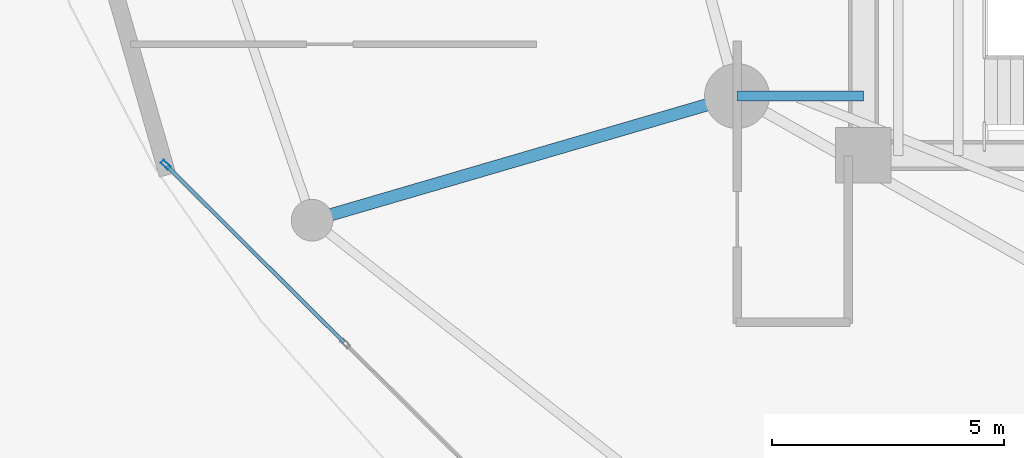
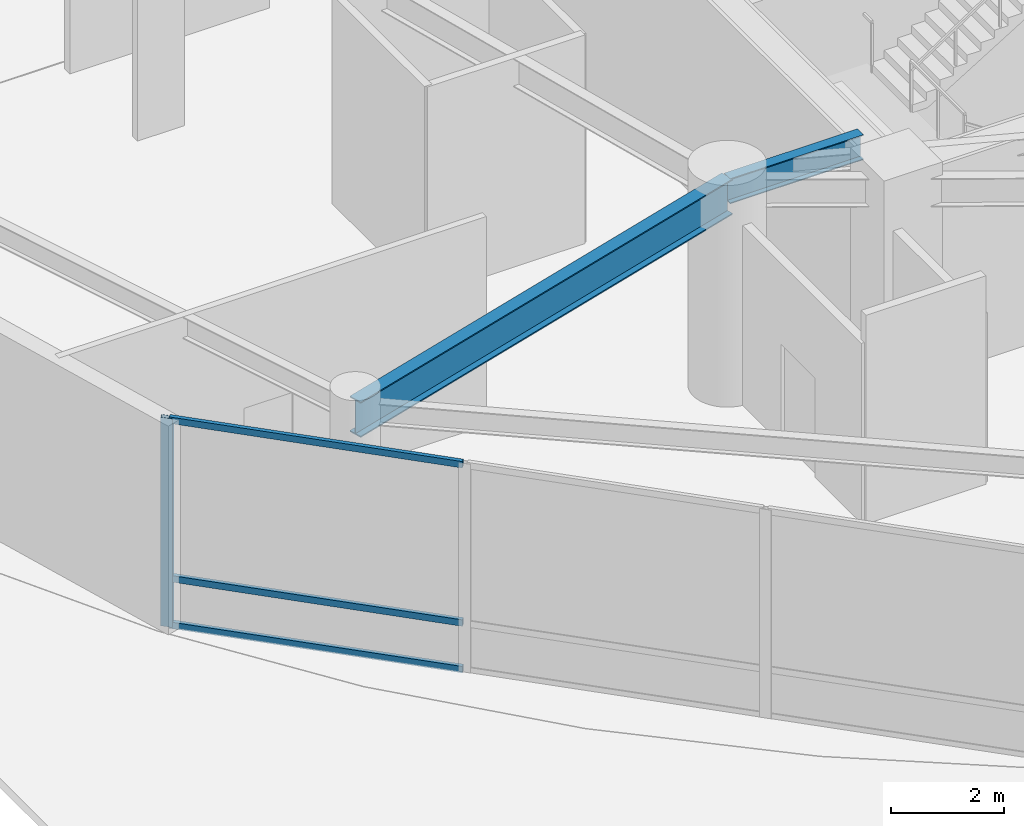
# One storey, part 4 of 35: 4 members, 2 beams, 1 element without a shape of its own.
"""IFC4 building model written with IfcOpenShell, lengths in metres."""

import ifcopenshell
import ifcopenshell.guid

model = None  # the IFC model being written
_history = None  # IfcOwnerHistory: only IFC2X3 demands one
_inside = {}  # id of a spatial element -> (the spatial element, [elements in it])
_under = {}  # id of a project, library or spatial element -> (it, [spatial elements below it])
_declared = {}  # id of a project -> (the project, [libraries it declares])
_typed = {}  # id of a type object -> (the type object, [elements of that type])
_made_of = {}  # id of a material, layer set ... -> (it, [elements and type objects made of it])


def new_model(schema):
    """Start an empty IFC model of exactly this schema.

    Asked for "IFC4X3", IfcOpenShell would pick the latest addendum, in which some entities
    have other attributes; the version numbers below select the first issue.
    IFC2X3 requires an IfcOwnerHistory on every rooted entity: one is made here for all.
    """
    global model, _history
    if schema == "IFC4X3":
        model = ifcopenshell.file(schema_version=(4, 3, 0, 0))
    else:
        model = ifcopenshell.file(schema=schema)
    _inside.clear()
    _under.clear()
    _declared.clear()
    _typed.clear()
    _made_of.clear()
    _history = None
    if model.schema == "IFC2X3":
        org = make("IfcOrganization", Name="unknown")
        user = make(
            "IfcPersonAndOrganization",
            ThePerson=make("IfcPerson", FamilyName="unknown"),
            TheOrganization=org,
        )
        app = make(
            "IfcApplication",
            ApplicationDeveloper=org,
            Version="unknown",
            ApplicationFullName="unknown",
            ApplicationIdentifier="unknown",
        )
        _history = make(
            "IfcOwnerHistory",
            OwningUser=user,
            OwningApplication=app,
            ChangeAction="ADDED",
            CreationDate=0,
        )
    return model


def make(cls, **values):
    """One entity of the class cls with the attributes given. An attribute that is None is left unset."""
    return model.create_entity(
        cls, **{name: value for name, value in values.items() if value is not None}
    )


def rooted(cls, **values):
    """An entity with a GlobalId (a new one), such as an element, a storey or a relation."""
    return make(cls, GlobalId=ifcopenshell.guid.new(), OwnerHistory=_history, **values)


def si_unit(unit_type, name, prefix=None):
    """IfcSIUnit, for example si_unit("LENGTHUNIT", "METRE", prefix="MILLI")."""
    return make("IfcSIUnit", UnitType=unit_type, Prefix=prefix, Name=name)


def assignment(units):
    """IfcUnitAssignment: the units of a project."""
    return None if units is None else make("IfcUnitAssignment", Units=units)


def point(xyz):
    """IfcCartesianPoint."""
    return None if xyz is None else make("IfcCartesianPoint", Coordinates=xyz)


def direction(xyz):
    """IfcDirection."""
    return None if xyz is None else make("IfcDirection", DirectionRatios=xyz)


def frame(location, z_axis=None, x_axis=None):
    """IfcAxis2Placement3D, a coordinate frame: its origin and axes. An axis left out is left unset."""
    return make(
        "IfcAxis2Placement3D",
        Location=point(location),
        Axis=direction(z_axis),
        RefDirection=direction(x_axis),
    )


def frame_2d(location, x_axis=None):
    """IfcAxis2Placement2D, a coordinate frame in the plane: its origin and x axis."""
    return make(
        "IfcAxis2Placement2D", Location=point(location), RefDirection=direction(x_axis)
    )


def origin():
    """The frame at (0, 0, 0) with its axes left unset."""
    return frame((0.0, 0.0, 0.0))


def origin_2d():
    """The frame at (0, 0) in the plane with its x axis left unset."""
    return frame_2d((0.0, 0.0))


def place(relative_to, where):
    """IfcLocalPlacement: puts the frame where relative to a parent placement (None: the world)."""
    return make(
        "IfcLocalPlacement", PlacementRelTo=relative_to, RelativePlacement=where
    )


def context(
    kind, dimensions, precision=None, world=None, true_north=None, identifier=None
):
    """IfcGeometricRepresentationContext, for example the 3D "Model" context."""
    return make(
        "IfcGeometricRepresentationContext",
        ContextIdentifier=identifier,
        ContextType=kind,
        CoordinateSpaceDimension=dimensions,
        Precision=precision,
        WorldCoordinateSystem=world,
        TrueNorth=true_north,
    )


def subcontext(parent, identifier, kind, view, scale=None):
    """IfcGeometricRepresentationSubContext, for example "Body" below "Model"."""
    return make(
        "IfcGeometricRepresentationSubContext",
        ContextIdentifier=identifier,
        ContextType=kind,
        ParentContext=parent,
        TargetScale=scale,
        TargetView=view,
    )


def project(units=None, contexts=None):
    """IfcProject with its units and contexts."""
    return rooted(
        "IfcProject",
        Name="project",
        RepresentationContexts=contexts,
        UnitsInContext=assignment(units),
    )


def spatial(cls, under=None, at=None, **own):
    """A site, building, storey or space (cls), placed at a placement, below another one or the project."""
    s = rooted(cls, ObjectPlacement=at, **own)
    if under is not None:
        _under.setdefault(under.id(), (under, []))[1].append(s)
    return s


def profile(cls, at=None, kind="AREA", **sizes):
    """A parametric profile (cls). Its sizes go by their IFC names, for example OverallWidth=200.0."""
    return make(cls, ProfileType=kind, Position=at, **sizes)


def hollow_rectangle(**sizes):
    """IfcRectangleHollowProfileDef."""
    return profile("IfcRectangleHollowProfileDef", **sizes)


def i_section(**sizes):
    """IfcIShapeProfileDef."""
    return profile("IfcIShapeProfileDef", **sizes)


def extrude(swept, where, along, depth):
    """IfcExtrudedAreaSolid: the profile swept, set in the frame where, extruded along a direction by depth."""
    return make(
        "IfcExtrudedAreaSolid",
        SweptArea=swept,
        Position=where,
        ExtrudedDirection=direction(along),
        Depth=depth,
    )


def shape(context_of_items, identifier, shape_type, items):
    """IfcShapeRepresentation: the items that make up one representation, for example the "Body"."""
    return make(
        "IfcShapeRepresentation",
        ContextOfItems=context_of_items,
        RepresentationIdentifier=identifier,
        RepresentationType=shape_type,
        Items=items,
    )


def material(Name=None, Category=None):
    """IfcMaterial."""
    return make("IfcMaterial", Name=Name, Category=Category)


def layer(
    of_material, thickness, ventilated=None, Name=None, Category=None, Priority=None
):
    """IfcMaterialLayer: one layer of a wall or slab, of a material (None: an air gap)."""
    return make(
        "IfcMaterialLayer",
        Material=of_material,
        LayerThickness=thickness,
        IsVentilated=ventilated,
        Name=Name,
        Category=Category,
        Priority=Priority,
    )


def layer_set(layers, Name=None):
    """IfcMaterialLayerSet."""
    return make("IfcMaterialLayerSet", MaterialLayers=layers, LayerSetName=Name)


def material_profile(
    of_material, cross_section, Name=None, Category=None, Priority=None
):
    """IfcMaterialProfile: a cross section and its material."""
    return make(
        "IfcMaterialProfile",
        Name=Name,
        Material=of_material,
        Profile=cross_section,
        Priority=Priority,
        Category=Category,
    )


def profile_set(profiles, Name=None, composite=None):
    """IfcMaterialProfileSet."""
    return make(
        "IfcMaterialProfileSet",
        Name=Name,
        MaterialProfiles=profiles,
        CompositeProfile=composite,
    )


def made_of(thing, what):
    """Note that an element or type object is made of a material, layer set ...; save() writes the relation."""
    if what is not None:
        _made_of.setdefault(what.id(), (what, []))[1].append(thing)
    return thing


def type_object(cls, material=None, **own):
    """A type object (cls), such as IfcWallType, which elements share."""
    return made_of(rooted(cls, **own), material)


def element(
    cls,
    number,
    at=None,
    inside=None,
    cuts=None,
    type_object=None,
    material=None,
    context=None,
    identifier="Body",
    shape_type=None,
    held_by="IfcProductDefinitionShape",
    body=None,
    shapes=None,
    **own,
):
    """One element of the class cls, such as IfcWall. Its Tag is "e" and its number.

    at: its placement. inside: the storey or other place that contains it. cuts: it is an
    opening in that element (IfcRelVoidsElement). A single representation is given by context,
    identifier, shape_type and body (its items); several are given by shapes. held_by: the class
    of the entity that holds the representations. save() writes the other relations.
    """
    e = rooted(cls, Tag="e%d" % number, ObjectPlacement=at, **own)
    if body is not None:
        shapes = [shape(context, identifier, shape_type, body)]
    if shapes is not None:
        e.Representation = make(held_by, Representations=shapes)
    if inside is not None:
        _inside.setdefault(inside.id(), (inside, []))[1].append(e)
    if cuts is not None:
        rooted(
            "IfcRelVoidsElement", RelatingBuildingElement=cuts, RelatedOpeningElement=e
        )
    if type_object is not None:
        _typed.setdefault(type_object.id(), (type_object, []))[1].append(e)
    return made_of(e, material)


def aggregate(whole, parts):
    """IfcRelAggregates: a whole, such as a stair, and the parts it consists of."""
    return rooted("IfcRelAggregates", RelatingObject=whole, RelatedObjects=parts)


def save(model, path):
    """Write the relations noted so far, then the file.

    IfcRelAggregates (storeys below a building ...), IfcRelContainedInSpatialStructure (elements
    in a storey), IfcRelDefinesByType, IfcRelAssociatesMaterial and IfcRelDeclares: one each for
    every whole, place, type object, material and project.
    """
    for whole, parts in _under.values():
        aggregate(whole, parts)
    for where, things in _inside.values():
        rooted(
            "IfcRelContainedInSpatialStructure",
            RelatedElements=things,
            RelatingStructure=where,
        )
    for kind, things in _typed.values():
        rooted("IfcRelDefinesByType", RelatedObjects=things, RelatingType=kind)
    for what, things in _made_of.values():
        rooted("IfcRelAssociatesMaterial", RelatedObjects=things, RelatingMaterial=what)
    for by, libraries in _declared.values():
        rooted("IfcRelDeclares", RelatingContext=by, RelatedDefinitions=libraries)
    model.write(path)


model = new_model("IFC4")

# Units and contexts
model_context = context("Model", 3, precision=1e-05, world=origin(), true_north=direction((0.0, 1.0)))
body_context = subcontext(model_context, "Body", "Model", "MODEL_VIEW")
ifc_project = project(units=[si_unit("LENGTHUNIT", "METRE"), si_unit("AREAUNIT", "SQUARE_METRE"), si_unit("VOLUMEUNIT", "CUBIC_METRE"), si_unit("PLANEANGLEUNIT", "RADIAN"), si_unit("MASSUNIT", "GRAM", prefix="KILO")], contexts=[model_context])

# Site, building, storey
site_placement = place(None, origin())
site = spatial("IfcSite", under=ifc_project, at=site_placement, CompositionType="ELEMENT")
building_placement = place(site_placement, origin())
building = spatial("IfcBuilding", under=site, at=building_placement, Name="Kazevale Care Tower and Concert Hall", CompositionType="ELEMENT")
storey_placement = place(building_placement, origin())
storey = spatial("IfcBuildingStorey", under=building, at=storey_placement, Name="L00", CompositionType="ELEMENT", Elevation=0.0)

# Curtain wall, members
ifc_material_1 = material(Name="Aluminium 6063-T6 and Low-E Glass", Category="aluminium")
ifc_layer = layer(ifc_material_1, 0.179931640625)
ifc_layer_set = layer_set([ifc_layer], Name="Aluminium 6063-T6 and Low-E Glass")
curtain_wall_type = type_object("IfcCurtainWallType", Name="Podium Double-Skin Medical Curtain Wall CW-1", PredefinedType="NOTDEFINED", material=ifc_layer_set)
curtain_wall_placement = place(storey_placement, origin())
curtain_wall = element("IfcCurtainWall", 1, at=curtain_wall_placement, inside=storey, type_object=curtain_wall_type, Name="cw:L00:pod:09", PredefinedType="NOTDEFINED")
ifc_material_2 = material(Name="Aluminium 6063-T6", Category="aluminium")
ifc_material_profile_1 = material_profile(ifc_material_2, hollow_rectangle(XDim=0.090087890625, YDim=0.219970703125, WallThickness=0.0048828125, at=origin_2d()), Name="ALU90x220x5")
ifc_profile_set_1 = profile_set([ifc_material_profile_1], Name="Aluminium 6063-T6")
member_type_1 = type_object("IfcMemberType", Name="CW-1 Mullion ALU90x220x5", PredefinedType="MULLION", material=ifc_profile_set_1)
member_1_placement = place(storey_placement, frame((6.93896484375, 23.398193359375, 0.0), z_axis=(0.0, 0.0, 1.0), x_axis=(0.705655814257, 0.708554776856, 0.0)))
member_1 = element("IfcMember", 2, at=member_1_placement, type_object=member_type_1, Name="CW-1 mullion 1", PredefinedType="MULLION", context=body_context, shape_type="SweptSolid", body=[
    extrude(hollow_rectangle(XDim=0.090087890625, YDim=0.219970703125, WallThickness=0.0048828125, at=origin_2d()), origin(), (0.0, 0.0, 1.0), 4.52001953125),
])
ifc_material_profile_2 = material_profile(ifc_material_2, hollow_rectangle(XDim=0.080078125, YDim=0.139892578125, WallThickness=0.00390625, at=origin_2d()), Name="ALU80x140x4")
ifc_profile_set_2 = profile_set([ifc_material_profile_2], Name="Aluminium 6063-T6")
member_type_2 = type_object("IfcMemberType", Name="CW-1 Transom ALU80x140x4", PredefinedType="USERDEFINED", material=ifc_profile_set_2)
member_2_placement = place(storey_placement, frame((6.970703125, 23.366455078125, 0.0400390625), z_axis=(0.708578901075, -0.705631590103, 0.0), x_axis=(0.705631590103, 0.708578901075, 0.0)))
member_2 = element("IfcMember", 3, at=member_2_placement, type_object=member_type_2, Name="CW-1 transom 1.1", ObjectType="TRANSOM", PredefinedType="USERDEFINED", context=body_context, shape_type="SweptSolid", body=[
    extrude(hollow_rectangle(XDim=0.080078125, YDim=0.139892578125, WallThickness=0.00390625, at=origin_2d()), origin(), (0.0, 0.0, 1.0), 5.38427734375),
])
member_3_placement = place(storey_placement, frame((6.970703125, 23.366455078125, 1.050048828125), z_axis=(0.708578901075, -0.705631590103, 0.0), x_axis=(0.705631590103, 0.708578901075, 0.0)))
member_3 = element("IfcMember", 4, at=member_3_placement, type_object=member_type_2, Name="CW-1 transom 1.2", ObjectType="TRANSOM", PredefinedType="USERDEFINED", context=body_context, shape_type="SweptSolid", body=[
    extrude(hollow_rectangle(XDim=0.080078125, YDim=0.139892578125, WallThickness=0.00390625, at=origin_2d()), origin(), (0.0, 0.0, 1.0), 5.38427734375),
])
member_4_placement = place(storey_placement, frame((6.970703125, 23.366455078125, 4.47998046875), z_axis=(0.708578901075, -0.705631590103, 0.0), x_axis=(0.705631590103, 0.708578901075, 0.0)))
member_4 = element("IfcMember", 5, at=member_4_placement, type_object=member_type_2, Name="CW-1 transom 1.3", ObjectType="TRANSOM", PredefinedType="USERDEFINED", context=body_context, shape_type="SweptSolid", body=[
    extrude(hollow_rectangle(XDim=0.080078125, YDim=0.139892578125, WallThickness=0.00390625, at=origin_2d()), origin(), (0.0, 0.0, 1.0), 5.38427734375),
])
aggregate(curtain_wall, [member_1, member_2, member_3, member_4])

# Beams
ifc_material_3 = material(Name="Steel ASTM A572 Gr 50", Category="steel")
ifc_material_profile_3 = material_profile(ifc_material_3, i_section(OverallWidth=0.26806640625, OverallDepth=0.77001953125, WebThickness=0.015625, FlangeThickness=0.025390625, at=origin_2d()), Name="W760x196")
ifc_profile_set_3 = profile_set([ifc_material_profile_3], Name="Steel ASTM A572 Gr 50")
beam_type_1 = type_object("IfcBeamType", Name="Podium Primary Girder W760x196", PredefinedType="BEAM", material=ifc_profile_set_3)
beam_1_placement = place(storey_placement, frame((19.27001953125, 24.8798828125, 4.135009765625), z_axis=(-0.959848737665, -0.28051809354, 0.0), x_axis=(0.28051809354, -0.959848737665, 0.0)))
element("IfcBeam", 6, at=beam_1_placement, inside=storey, type_object=beam_type_1, Name="beam:L00:podrad:08", PredefinedType="BEAM", context=body_context, shape_type="SweptSolid", body=[
    extrude(i_section(OverallWidth=0.26806640625, OverallDepth=0.77001953125, WebThickness=0.015625, FlangeThickness=0.025390625, at=origin_2d()), origin(), (0.0, 0.0, 1.0), 9.553466796875),
])
ifc_material_profile_4 = material_profile(ifc_material_3, i_section(OverallWidth=0.2119140625, OverallDepth=0.5439453125, WebThickness=0.01318359375, FlangeThickness=0.021240234375, at=origin_2d()), Name="W530x123")
ifc_profile_set_4 = profile_set([ifc_material_profile_4], Name="Steel ASTM A572 Gr 50")
beam_type_2 = type_object("IfcBeamType", Name="Radial Floor Girder W530x123", PredefinedType="BEAM", material=ifc_profile_set_4)
beam_2_placement = place(storey_placement, frame((22.0, 24.8798828125, 4.248046875), z_axis=(-1.0, 0.0, 0.0), x_axis=(0.0, -1.0, 0.0)))
element("IfcBeam", 7, at=beam_2_placement, inside=storey, type_object=beam_type_2, Name="beam:L00:rad:10", PredefinedType="BEAM", context=body_context, shape_type="SweptSolid", body=[
    extrude(i_section(OverallWidth=0.2119140625, OverallDepth=0.5439453125, WebThickness=0.01318359375, FlangeThickness=0.021240234375, at=origin_2d()), origin(), (0.0, 0.0, 1.0), 2.72998046875),
])

save(model, "model.ifc")
